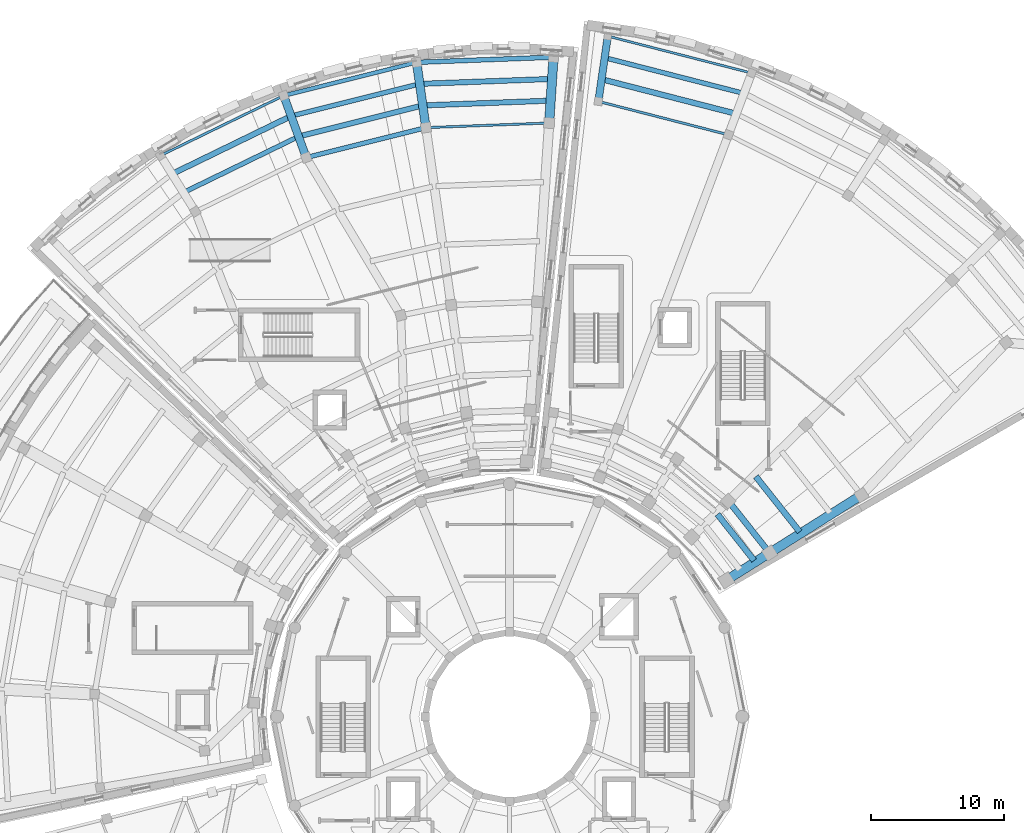
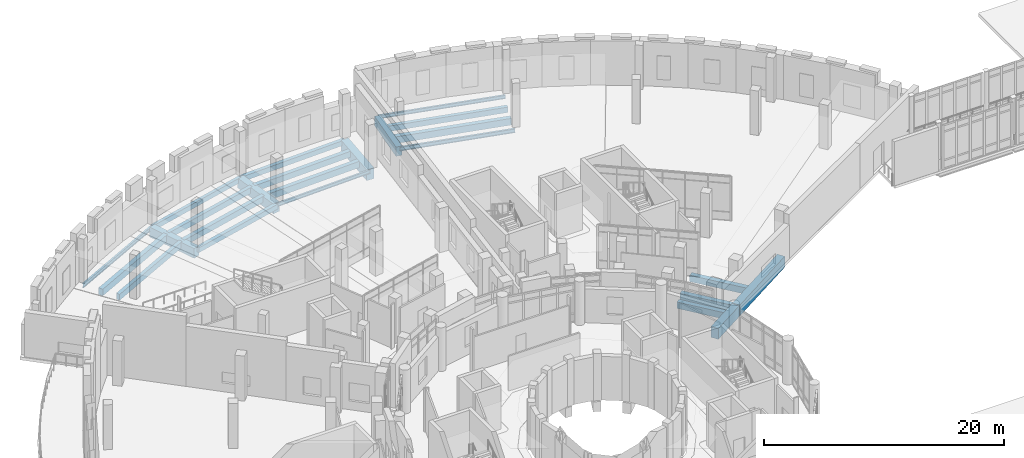
# One storey, part 24 of 75: 24 beams.
"""IFC4 building model written with IfcOpenShell, lengths in metres."""

from ifc_helpers import new_model, si_unit, direction, frame, origin, origin_2d, place, context, subcontext, project, spatial, rectangle, i_section, extrude, material, material_profile, profile_set, type_object, element, save


model = new_model("IFC4")

# Units and contexts
model_context = context("Model", 3, precision=1e-05, world=origin(), true_north=direction((0.0, 1.0)))
body_context = subcontext(model_context, "Body", "Model", "MODEL_VIEW")
ifc_project = project(units=[si_unit("LENGTHUNIT", "METRE"), si_unit("AREAUNIT", "SQUARE_METRE"), si_unit("VOLUMEUNIT", "CUBIC_METRE"), si_unit("PLANEANGLEUNIT", "RADIAN"), si_unit("MASSUNIT", "GRAM", prefix="KILO")], contexts=[model_context])

# Site, building, storey
site_placement = place(None, origin())
site = spatial("IfcSite", under=ifc_project, at=site_placement, CompositionType="ELEMENT")
building_placement = place(site_placement, origin())
building = spatial("IfcBuilding", under=site, at=building_placement, Name="Soyqirgoq Riverine Aquarium", CompositionType="ELEMENT")
storey_placement = place(building_placement, frame((0.0, 0.0, 10.199951171875)))
storey = spatial("IfcBuildingStorey", under=building, at=storey_placement, Name="L03", CompositionType="ELEMENT", Elevation=10.199951171875)

# Beams
ifc_material_1 = material(Name="Concrete C40/50", Category="concrete")
ifc_material_profile_1 = material_profile(ifc_material_1, rectangle(XDim=0.35009765625, YDim=0.60009765625, at=origin_2d()), Name="RC 350x600")
ifc_profile_set_1 = profile_set([ifc_material_profile_1], Name="Concrete C40/50")
beam_type_1 = type_object("IfcBeamType", Name="Beam_RC_350x600", PredefinedType="JOIST", material=ifc_profile_set_1)
beam_1_placement = place(storey_placement, frame((49.105712890625, 104.4541015625, -0.599853515625), z_axis=(-0.970086007326, -0.242761484569, 0.0), x_axis=(0.242761484569, -0.970086007326, 0.0)))
element("IfcBeam", 1, at=beam_1_placement, inside=storey, type_object=beam_type_1, Name="V4 L03 Secondary Floor Joist 0667", PredefinedType="JOIST", context=body_context, shape_type="SweptSolid", body=[
    extrude(rectangle(XDim=0.35009765625, YDim=0.60009765625, at=origin_2d()), origin(), (0.0, 0.0, 1.0), 9.66455078125),
])
beam_2_placement = place(storey_placement, frame((40.02734375, 100.4775390625, -0.599853515625), z_axis=(-0.899181920875, -0.437574991482, 0.0), x_axis=(0.437574991482, -0.899181920875, 0.0)))
element("IfcBeam", 2, at=beam_2_placement, inside=storey, type_object=beam_type_1, Name="V4 L03 Secondary Floor Joist 0668", PredefinedType="JOIST", context=body_context, shape_type="SweptSolid", body=[
    extrude(rectangle(XDim=0.35009765625, YDim=0.60009765625, at=origin_2d()), origin(), (0.0, 0.0, 1.0), 9.325927734375),
])
ifc_material_2 = material(Name="Concrete C40/50", Category="concrete")
ifc_material_profile_2 = material_profile(ifc_material_2, rectangle(XDim=0.39990234375, YDim=0.60009765625, at=origin_2d()), Name="RC 400x600")
ifc_profile_set_2 = profile_set([ifc_material_profile_2], Name="Concrete C40/50")
beam_type_2 = type_object("IfcBeamType", Name="Beam_RC_400x600", PredefinedType="JOIST", material=ifc_profile_set_2)
beam_3_placement = place(storey_placement, frame((59.0390625, 104.855712890625, -0.599853515625), z_axis=(-0.999297071666, -0.037488165589, 0.0), x_axis=(0.037488165589, -0.999297071666, 0.0)))
element("IfcBeam", 3, at=beam_3_placement, inside=storey, type_object=beam_type_2, Name="V4 L03 Secondary Floor Joist 0665", PredefinedType="JOIST", context=body_context, shape_type="SweptSolid", body=[
    extrude(rectangle(XDim=0.39990234375, YDim=0.60009765625, at=origin_2d()), origin(), (0.0, 0.0, 1.0), 9.66455078125),
])
beam_4_placement = place(storey_placement, frame((49.335693359375, 102.8369140625, -0.599853515625), z_axis=(-0.970079328611, -0.242788171462, 0.0), x_axis=(0.242788171462, -0.970079328611, 0.0)))
element("IfcBeam", 4, at=beam_4_placement, inside=storey, type_object=beam_type_2, Name="V4 L03 Secondary Floor Joist 0666", PredefinedType="JOIST", context=body_context, shape_type="SweptSolid", body=[
    extrude(rectangle(XDim=0.39990234375, YDim=0.60009765625, at=origin_2d()), origin(), (0.0, 0.0, 1.0), 9.32568359375),
])
ifc_material_3 = material(Name="Concrete C40/50", Category="concrete")
ifc_material_profile_3 = material_profile(ifc_material_3, rectangle(XDim=0.39990234375, YDim=0.64990234375, at=origin_2d()), Name="RC 400x650")
ifc_profile_set_3 = profile_set([ifc_material_profile_3], Name="Concrete C40/50")
beam_type_3 = type_object("IfcBeamType", Name="Beam_RC_400x650", PredefinedType="BEAM", material=ifc_profile_set_3)
beam_5_placement = place(storey_placement, frame((58.930908203125, 103.225830078125, -0.625), z_axis=(-0.999297076426, -0.037488038705, 0.0), x_axis=(0.037488038705, -0.999297076426, 0.0)))
element("IfcBeam", 5, at=beam_5_placement, inside=storey, type_object=beam_type_3, Name="V4 L03 Secondary Floor Joist 0664", PredefinedType="BEAM", context=body_context, shape_type="SweptSolid", body=[
    extrude(rectangle(XDim=0.39990234375, YDim=0.64990234375, at=origin_2d()), origin(), (0.0, 0.0, 1.0), 9.325927734375),
])
ifc_material_4 = material(Name="Concrete C40/50", Category="concrete")
ifc_material_profile_4 = material_profile(ifc_material_4, rectangle(XDim=0.419921875, YDim=0.679931640625, at=origin_2d()), Name="RC 420x680")
ifc_profile_set_4 = profile_set([ifc_material_profile_4], Name="Concrete C40/50")
beam_type_4 = type_object("IfcBeamType", Name="Beam_RC_420x680", PredefinedType="BEAM", material=ifc_profile_set_4)
beam_6_placement = place(storey_placement, frame((39.468505859375, 102.012451171875, -0.639892578125), z_axis=(-0.899175454325, -0.43758827948, 0.0), x_axis=(0.43758827948, -0.899175454325, 0.0)))
element("IfcBeam", 6, at=beam_6_placement, inside=storey, type_object=beam_type_4, Name="V4 L03 Secondary Floor Joist 0669", PredefinedType="BEAM", context=body_context, shape_type="SweptSolid", body=[
    extrude(rectangle(XDim=0.419921875, YDim=0.679931640625, at=origin_2d()), origin(), (0.0, 0.0, 1.0), 9.664306640625),
])
beam_7_placement = place(storey_placement, frame((72.869873046875, 102.27734375, -0.639892578125), z_axis=(-0.968577827691, 0.24871065861, 0.0), x_axis=(-0.24871065861, -0.968577827691, 0.0)))
element("IfcBeam", 7, at=beam_7_placement, inside=storey, type_object=beam_type_4, Name="V5 L03 Secondary Floor Joist 0896", PredefinedType="BEAM", context=body_context, shape_type="SweptSolid", body=[
    extrude(rectangle(XDim=0.419921875, YDim=0.679931640625, at=origin_2d()), origin(), (0.0, 0.0, 1.0), 10.159912109375),
])
ifc_material_5 = material(Name="Concrete C40/50", Category="concrete")
ifc_material_profile_5 = material_profile(ifc_material_5, rectangle(XDim=0.449951171875, YDim=0.64990234375, at=origin_2d()), Name="RC 450x650")
ifc_profile_set_5 = profile_set([ifc_material_profile_5], Name="Concrete C40/50")
beam_type_5 = type_object("IfcBeamType", Name="Beam_RC_450x650", PredefinedType="BEAM", material=ifc_profile_set_5)
beam_8_placement = place(storey_placement, frame((74.3427734375, 68.715576171875, -0.625), z_axis=(-0.621169249928, 0.783676440213, 0.0), x_axis=(-0.783676440213, -0.621169249928, 0.0)))
element("IfcBeam", 8, at=beam_8_placement, inside=storey, type_object=beam_type_5, Name="V5 L03 Secondary Floor Joist 0870", PredefinedType="BEAM", context=body_context, shape_type="SweptSolid", body=[
    extrude(rectangle(XDim=0.449951171875, YDim=0.64990234375, at=origin_2d()), origin(), (0.0, 0.0, 1.0), 4.42431640625),
])
beam_9_placement = place(storey_placement, frame((75.4736328125, 69.322021484375, -0.625), z_axis=(-0.62112455544, 0.783711864546, 0.0), x_axis=(-0.783711864546, -0.62112455544, 0.0)))
element("IfcBeam", 9, at=beam_9_placement, inside=storey, type_object=beam_type_5, Name="V5 L03 Wedge Chord Beam 0877", PredefinedType="BEAM", context=body_context, shape_type="SweptSolid", body=[
    extrude(rectangle(XDim=0.449951171875, YDim=0.64990234375, at=origin_2d()), origin(), (0.0, 0.0, 1.0), 4.878662109375),
])
beam_10_placement = place(storey_placement, frame((77.7626953125, 70.869140625, -0.625), z_axis=(-0.621170302236, 0.783675606115, 0.0), x_axis=(-0.783675606115, -0.621170302236, 0.0)))
element("IfcBeam", 10, at=beam_10_placement, inside=storey, type_object=beam_type_5, Name="V5 L03 Secondary Floor Joist 0881", PredefinedType="BEAM", context=body_context, shape_type="SweptSolid", body=[
    extrude(rectangle(XDim=0.449951171875, YDim=0.64990234375, at=origin_2d()), origin(), (0.0, 0.0, 1.0), 5.29736328125),
])
ifc_material_6 = material(Name="Concrete C40/50", Category="concrete")
ifc_material_profile_6 = material_profile(ifc_material_6, rectangle(XDim=0.550048828125, YDim=0.949951171875, at=origin_2d()), Name="RC 550x950")
ifc_profile_set_6 = profile_set([ifc_material_profile_6], Name="Concrete C40/50")
beam_type_6 = type_object("IfcBeamType", Name="Girder_RC_550x950", PredefinedType="BEAM", material=ifc_profile_set_6)
beam_11_placement = place(storey_placement, frame((62.66064453125, 103.22265625, -0.77490234375), z_axis=(0.142661605839, 0.989771522231, 0.0), x_axis=(-0.989771522231, 0.142661605839, 0.0)))
element("IfcBeam", 11, at=beam_11_placement, inside=storey, type_object=beam_type_6, Name="V5 L03 Wedge Radial Girder 0864", PredefinedType="BEAM", context=body_context, shape_type="SweptSolid", body=[
    extrude(rectangle(XDim=0.550048828125, YDim=0.949951171875, at=origin_2d()), origin(), (0.0, 0.0, 1.0), 4.849853515625),
])
ifc_material_7 = material(Name="Concrete C40/50", Category="concrete")
ifc_material_profile_7 = material_profile(ifc_material_7, rectangle(XDim=0.60009765625, YDim=1.0, at=origin_2d()), Name="RC 600x1000")
ifc_profile_set_7 = profile_set([ifc_material_profile_7], Name="Concrete C40/50")
beam_type_7 = type_object("IfcBeamType", Name="Girder_RC_600x1000", PredefinedType="BEAM", material=ifc_profile_set_7)
beam_12_placement = place(storey_placement, frame((40.711669921875, 99.00439453125, -0.800048828125), z_axis=(-0.342009814461, 0.939696380121, 0.0), x_axis=(-0.939696380121, -0.342009814461, 0.0)))
element("IfcBeam", 12, at=beam_12_placement, inside=storey, type_object=beam_type_7, Name="V4 L03 Wedge Radial Girder 0617", PredefinedType="BEAM", context=body_context, shape_type="SweptSolid", body=[
    extrude(rectangle(XDim=0.60009765625, YDim=1.0, at=origin_2d()), origin(), (0.0, 0.0, 1.0), 4.849853515625),
])
ifc_material_8 = material(Name="Concrete C40/50", Category="concrete")
ifc_material_profile_8 = material_profile(ifc_material_8, rectangle(XDim=0.64990234375, YDim=1.0, at=origin_2d()), Name="RC 650x1000")
ifc_profile_set_8 = profile_set([ifc_material_profile_8], Name="Concrete C40/50")
beam_type_8 = type_object("IfcBeamType", Name="Girder_RC_650x1000", PredefinedType="BEAM", material=ifc_profile_set_8)
beam_13_placement = place(storey_placement, frame((49.701904296875, 101.254150390625, -0.800048828125), z_axis=(-0.140949160463, 0.990016835294, 0.0), x_axis=(-0.990016835294, -0.140949160463, 0.0)))
element("IfcBeam", 13, at=beam_13_placement, inside=storey, type_object=beam_type_8, Name="V4 L03 Wedge Radial Girder 0613", PredefinedType="BEAM", context=body_context, shape_type="SweptSolid", body=[
    extrude(rectangle(XDim=0.64990234375, YDim=1.0, at=origin_2d()), origin(), (0.0, 0.0, 1.0), 4.849853515625),
])
ifc_material_9 = material(Name="Concrete C40/50", Category="concrete")
ifc_material_profile_9 = material_profile(ifc_material_9, rectangle(XDim=0.699951171875, YDim=1.10009765625, at=origin_2d()), Name="RC 700x1100")
ifc_profile_set_9 = profile_set([ifc_material_profile_9], Name="Concrete C40/50")
beam_type_9 = type_object("IfcBeamType", Name="Girder_RC_700x1100", PredefinedType="BEAM", material=ifc_profile_set_9)
beam_14_placement = place(storey_placement, frame((58.96240234375, 101.601806640625, -0.849853515625), z_axis=(0.066295160615, 0.997800055963, 0.0), x_axis=(-0.997800055963, 0.066295160615, 0.0)))
element("IfcBeam", 14, at=beam_14_placement, inside=storey, type_object=beam_type_9, Name="V4 L03 Wedge Radial Girder 0609", PredefinedType="BEAM", context=body_context, shape_type="SweptSolid", body=[
    extrude(rectangle(XDim=0.699951171875, YDim=1.10009765625, at=origin_2d()), origin(), (0.0, 0.0, 1.0), 4.85009765625),
])
beam_15_placement = place(storey_placement, frame((72.289306640625, 67.2578125, -0.849853515625), z_axis=(0.846182823689, 0.53289269923, 0.0), x_axis=(-0.53289269923, 0.846182823689, 0.0)))
element("IfcBeam", 15, at=beam_15_placement, inside=storey, type_object=beam_type_9, Name="V5 L03 Wedge Radial Girder 0850", PredefinedType="BEAM", context=body_context, shape_type="SweptSolid", body=[
    extrude(rectangle(XDim=0.699951171875, YDim=1.10009765625, at=origin_2d()), origin(), (0.0, 0.0, 1.0), 3.75),
])
beam_16_placement = place(storey_placement, frame((75.547119140625, 69.309326171875, -0.849853515625), z_axis=(0.846182190255, 0.532893705063, 0.0), x_axis=(-0.532893705063, 0.846182190255, 0.0)))
element("IfcBeam", 16, at=beam_16_placement, inside=storey, type_object=beam_type_9, Name="V5 L03 Wedge Radial Girder 0851", PredefinedType="BEAM", context=body_context, shape_type="SweptSolid", body=[
    extrude(rectangle(XDim=0.699951171875, YDim=1.10009765625, at=origin_2d()), origin(), (0.0, 0.0, 1.0), 8.050048828125),
])
ifc_material_10 = material(Name="Concrete C40/50", Category="concrete")
ifc_material_profile_10 = material_profile(ifc_material_10, rectangle(XDim=0.300048828125, YDim=0.5, at=origin_2d()), Name="RC 300x500")
ifc_profile_set_10 = profile_set([ifc_material_profile_10], Name="Concrete C40/50")
beam_type_10 = type_object("IfcBeamType", Name="Spandrel_RC_300x500", PredefinedType="SPANDREL", material=ifc_profile_set_10)
beam_17_placement = place(storey_placement, frame((48.962890625, 106.093017578125, -0.550048828125), z_axis=(-0.970084651457, -0.242766902619, 0.0), x_axis=(0.242766902619, -0.970084651457, 0.0)))
element("IfcBeam", 17, at=beam_17_placement, inside=storey, type_object=beam_type_10, Name="V4 L03 Wedge Chord Beam 0673", PredefinedType="SPANDREL", context=body_context, shape_type="SweptSolid", body=[
    extrude(rectangle(XDim=0.300048828125, YDim=0.5, at=origin_2d()), origin(), (0.0, 0.0, 1.0), 10.183349609375),
])
ifc_material_11 = material(Name="Concrete C40/50", Category="concrete")
ifc_material_profile_11 = material_profile(ifc_material_11, rectangle(XDim=0.35009765625, YDim=0.5, at=origin_2d()), Name="RC 350x500")
ifc_profile_set_11 = profile_set([ifc_material_profile_11], Name="Concrete C40/50")
beam_type_11 = type_object("IfcBeamType", Name="Spandrel_RC_350x500", PredefinedType="SPANDREL", material=ifc_profile_set_11)
beam_18_placement = place(storey_placement, frame((49.660400390625, 101.1923828125, -0.550048828125), z_axis=(-0.970087583471, -0.242755186135, 0.0), x_axis=(0.242755186135, -0.970087583471, 0.0)))
element("IfcBeam", 18, at=beam_18_placement, inside=storey, type_object=beam_type_11, Name="V4 L03 Wedge Chord Beam 0661", PredefinedType="SPANDREL", context=body_context, shape_type="SweptSolid", body=[
    extrude(rectangle(XDim=0.35009765625, YDim=0.5, at=origin_2d()), origin(), (0.0, 0.0, 1.0), 9.156982421875),
])
beam_19_placement = place(storey_placement, frame((59.2373046875, 106.489013671875, -0.550048828125), z_axis=(-0.999296751316, -0.037496703991, 0.0), x_axis=(0.037496703991, -0.999296751316, 0.0)))
element("IfcBeam", 19, at=beam_19_placement, inside=storey, type_object=beam_type_11, Name="V4 L03 Wedge Chord Beam 0672", PredefinedType="SPANDREL", context=body_context, shape_type="SweptSolid", body=[
    extrude(rectangle(XDim=0.35009765625, YDim=0.5, at=origin_2d()), origin(), (0.0, 0.0, 1.0), 10.18310546875),
])
ifc_material_12 = material(Name="Structural steel S355", Category="steel")
ifc_material_profile_12 = material_profile(ifc_material_12, i_section(OverallWidth=0.169921875, OverallDepth=0.360107421875, WebThickness=0.008056640625, FlangeThickness=0.0126953125, FilletRadius=0.01806640625, at=origin_2d()), Name="IPE 360")
ifc_profile_set_12 = profile_set([ifc_material_profile_12], Name="Structural steel S355")
beam_type_12 = type_object("IfcBeamType", Name="Spandrel_Steel_IPE360", PredefinedType="SPANDREL", material=ifc_profile_set_12)
beam_20_placement = place(storey_placement, frame((58.9091796875, 101.5498046875, -0.47998046875), z_axis=(-0.999297116407, -0.037486972937, 0.0), x_axis=(0.037486972937, -0.999297116407, 0.0)))
element("IfcBeam", 20, at=beam_20_placement, inside=storey, type_object=beam_type_12, Name="V4 L03 Wedge Chord Beam 0660", PredefinedType="SPANDREL", context=body_context, shape_type="SweptSolid", body=[
    extrude(i_section(OverallWidth=0.169921875, OverallDepth=0.360107421875, WebThickness=0.008056640625, FlangeThickness=0.0126953125, FilletRadius=0.01806640625, at=origin_2d()), origin(), (0.0, 0.0, 1.0), 9.15673828125),
])
beam_21_placement = place(storey_placement, frame((74.106689453125, 105.31298828125, -0.47998046875), z_axis=(-0.968579543113, 0.248703977981, 0.0), x_axis=(-0.248703977981, -0.968579543113, 0.0)))
element("IfcBeam", 21, at=beam_21_placement, inside=storey, type_object=beam_type_12, Name="V5 L03 Wedge Chord Beam 0901", PredefinedType="SPANDREL", context=body_context, shape_type="SweptSolid", body=[
    extrude(i_section(OverallWidth=0.169921875, OverallDepth=0.360107421875, WebThickness=0.008056640625, FlangeThickness=0.0126953125, FilletRadius=0.01806640625, at=origin_2d()), origin(), (0.0, 0.0, 1.0), 11.045654296875),
])
ifc_material_13 = material(Name="Structural steel S355", Category="steel")
ifc_material_profile_13 = material_profile(ifc_material_13, i_section(OverallWidth=0.179931640625, OverallDepth=0.39990234375, WebThickness=0.008544921875, FlangeThickness=0.013427734375, FilletRadius=0.02099609375, at=origin_2d()), Name="IPE 400")
ifc_profile_set_13 = profile_set([ifc_material_profile_13], Name="Structural steel S355")
beam_type_13 = type_object("IfcBeamType", Name="Spandrel_Steel_IPE400", PredefinedType="SPANDREL", material=ifc_profile_set_13)
beam_22_placement = place(storey_placement, frame((38.99072265625, 103.5869140625, -0.5), z_axis=(-0.899170842723, -0.437597755476, 0.0), x_axis=(0.437597755476, -0.899170842723, 0.0)))
element("IfcBeam", 22, at=beam_22_placement, inside=storey, type_object=beam_type_13, Name="V4 L03 Wedge Chord Beam 0674", PredefinedType="SPANDREL", context=body_context, shape_type="SweptSolid", body=[
    extrude(i_section(OverallWidth=0.179931640625, OverallDepth=0.39990234375, WebThickness=0.008544921875, FlangeThickness=0.013427734375, FilletRadius=0.02099609375, at=origin_2d()), origin(), (0.0, 0.0, 1.0), 10.18310546875),
])
beam_23_placement = place(storey_placement, frame((72.364990234375, 100.6796875, -0.5), z_axis=(-0.968585617633, 0.248680319515, 0.0), x_axis=(-0.248680319515, -0.968585617633, 0.0)))
element("IfcBeam", 23, at=beam_23_placement, inside=storey, type_object=beam_type_13, Name="V5 L03 Wedge Chord Beam 0889", PredefinedType="SPANDREL", context=body_context, shape_type="SweptSolid", body=[
    extrude(i_section(OverallWidth=0.179931640625, OverallDepth=0.39990234375, WebThickness=0.008544921875, FlangeThickness=0.013427734375, FilletRadius=0.02099609375, at=origin_2d()), origin(), (0.0, 0.0, 1.0), 9.9765625),
])
ifc_material_14 = material(Name="Concrete C40/50", Category="concrete")
ifc_material_profile_14 = material_profile(ifc_material_14, rectangle(XDim=0.35009765625, YDim=0.550048828125, at=origin_2d()), Name="RC 350x550")
ifc_profile_set_14 = profile_set([ifc_material_profile_14], Name="Concrete C40/50")
beam_type_14 = type_object("IfcBeamType", Name="TBeam_RC_350x550", PredefinedType="T_BEAM", material=ifc_profile_set_14)
beam_24_placement = place(storey_placement, frame((73.444580078125, 103.806396484375, -0.574951171875), z_axis=(-0.968580573977, 0.248699963237, 0.0), x_axis=(-0.248699963237, -0.968580573977, 0.0)))
element("IfcBeam", 24, at=beam_24_placement, inside=storey, type_object=beam_type_14, Name="V5 L03 Secondary Floor Joist 0897", PredefinedType="T_BEAM", context=body_context, shape_type="SweptSolid", body=[
    extrude(rectangle(XDim=0.35009765625, YDim=0.550048828125, at=origin_2d()), origin(), (0.0, 0.0, 1.0), 10.5126953125),
])

save(model, "model.ifc")
